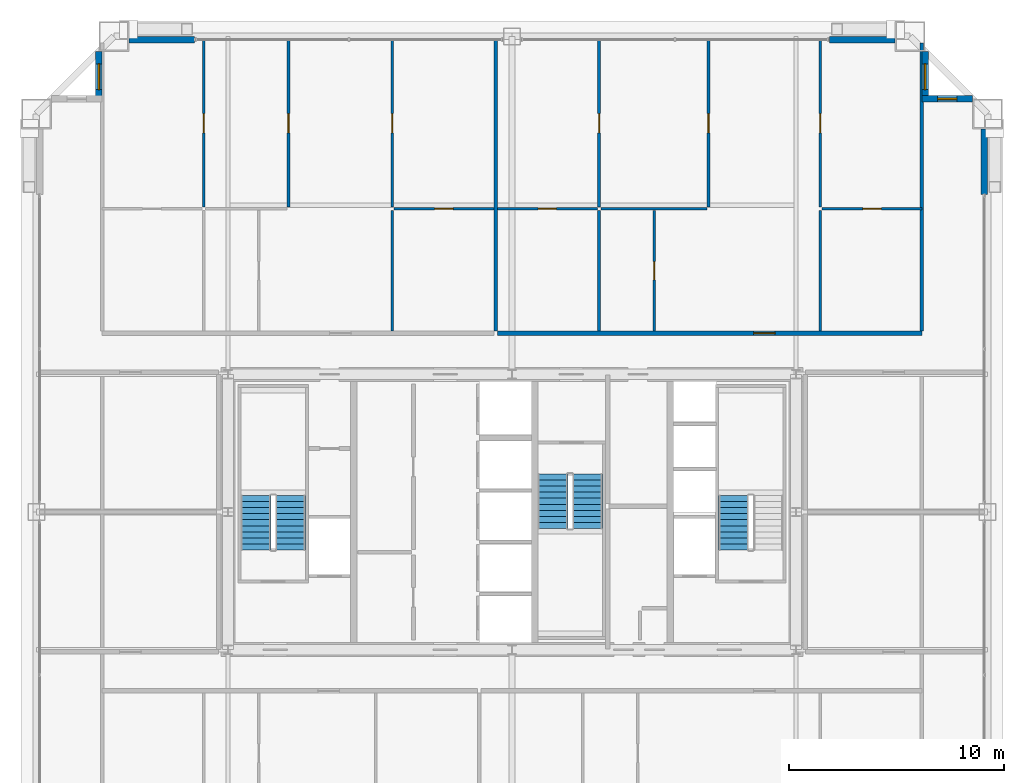
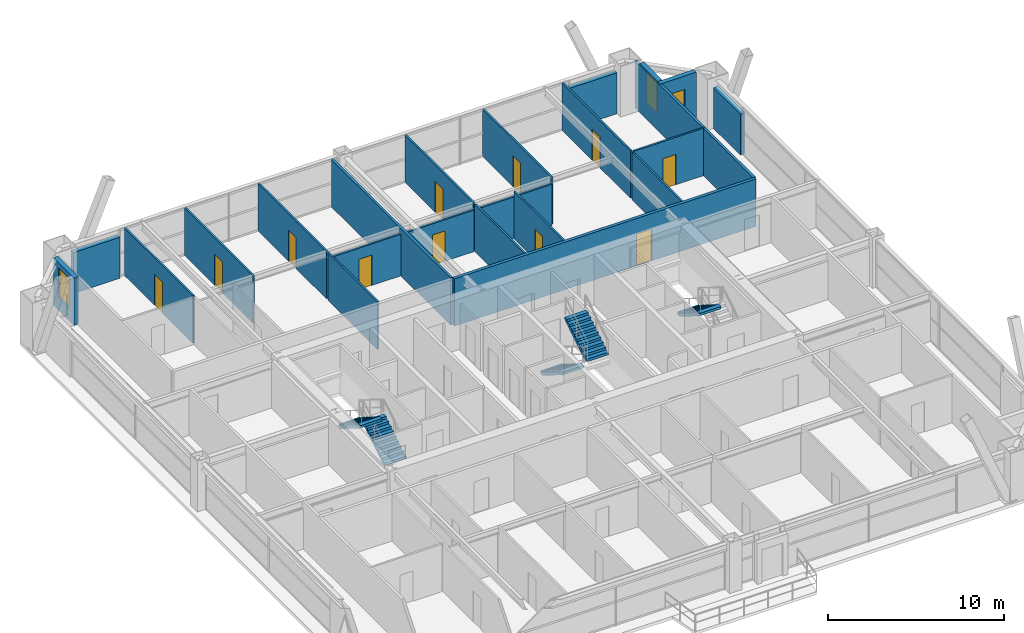
# One storey, part 43 of 45: 23 walls, 11 doors, 5 stair flights, 3 windows, 14 openings, 3 elements without a shape of their own.
"""IFC4 building model written with IfcOpenShell, lengths in metres."""

from ifc_helpers import new_model, si_unit, direction, frame, frame_2d, origin, place, context, subcontext, project, spatial, polyline, rectangle, outline, extrude, source, transform, mapped, material, layer, layer_set, type_object, element, fill, aggregate, save


model = new_model("IFC4")

# Units and contexts
model_context = context("Model", 3, precision=1e-05, world=origin(), true_north=direction((0.0, 1.0)))
body_context = subcontext(model_context, "Body", "Model", "MODEL_VIEW")
ifc_project = project(units=[si_unit("LENGTHUNIT", "METRE"), si_unit("AREAUNIT", "SQUARE_METRE"), si_unit("VOLUMEUNIT", "CUBIC_METRE"), si_unit("PLANEANGLEUNIT", "RADIAN"), si_unit("MASSUNIT", "GRAM", prefix="KILO"), si_unit("THERMODYNAMICTEMPERATUREUNIT", "KELVIN"), si_unit("POWERUNIT", "WATT")], contexts=[model_context])

# Site, building, storey
site_placement = place(None, origin())
site = spatial("IfcSite", under=ifc_project, at=site_placement, CompositionType="ELEMENT")
building_placement = place(site_placement, origin())
building = spatial("IfcBuilding", under=site, at=building_placement, Name="Yuzanri Waterfront Tower", CompositionType="ELEMENT")
storey_placement = place(building_placement, frame((0.0, 0.0, 212.5)))
storey = spatial("IfcBuildingStorey", under=building, at=storey_placement, Name="L56", CompositionType="ELEMENT", Elevation=212.5)

# Wall, opening, door
ifc_material_1 = material(Name="Moisture-Resistant Gypsum Stud Wall", Category="gypsum")
ifc_layer_1 = layer(ifc_material_1, 0.1201171875)
ifc_layer_set_1 = layer_set([ifc_layer_1], Name="Moisture-Resistant Gypsum Stud Wall")
wall_type_1 = type_object("IfcWallType", Name="Bathroom and Kitchen Wet Partition 120", PredefinedType="PARTITIONING", material=ifc_layer_set_1)
wall_1_placement = place(storey_placement, frame((31.510986328125, 39.89990234375, 0.0), z_axis=(0.0, 0.0, 1.0), x_axis=(1.0, 0.0, 0.0)))
wall_1 = element("IfcWall", 1, at=wall_1_placement, inside=storey, type_object=wall_type_1, Name="L56 Partition UW-L56-RN1-SUB-3-N", PredefinedType="PARTITIONING", context=body_context, shape_type="SweptSolid", body=[
    extrude(rectangle(XDim=4.64697265625, YDim=0.1201171875, at=frame_2d((2.323486328125, 0.0))), origin(), (0.0, 0.0, 1.0), 2.875),
])
opening_1_placement = place(wall_1_placement, frame((1.8984375, 0.0, 0.0)))
opening_1 = element("IfcOpeningElement", 2, at=opening_1_placement, cuts=wall_1, Name="Opening ID-0850", PredefinedType="OPENING", context=body_context, shape_type="SweptSolid", body=[
    extrude(rectangle(XDim=0.85009765625, YDim=2.10009765625, at=frame_2d((0.425048828125, 1.050048828125))), frame((0.0, 0.074951171875, 0.0), z_axis=(0.0, -1.0, 0.0), x_axis=(1.0, 0.0, 0.0)), (0.0, 0.0, 1.0), 0.14990234375),
])
ifc_material_2 = material(Name="Moisture-Resistant Lacquered Timber", Category="wood")
door_type_1 = type_object("IfcDoorType", Name="En-Suite Bathroom and Kitchen Swing Door 850x2100", OperationType="NOTDEFINED", PredefinedType="DOOR", material=ifc_material_2)
shared_shape_1 = source(origin(), body_context, "Body", "SweptSolid", [
    extrude(rectangle(XDim=0.85009765625, YDim=2.10009765625, at=frame_2d((0.425048828125, 1.050048828125))), frame((0.0, 0.02490234375, 0.0), z_axis=(0.0, -1.0, 0.0), x_axis=(1.0, 0.0, 0.0)), (0.0, 0.0, 1.0), 0.050048828125),
])
door_1_placement = place(opening_1_placement, origin())
door_1 = element("IfcDoor", 3, at=door_1_placement, inside=storey, type_object=door_type_1, Name="L56 Suite Interior Room Door", OperationType="SINGLE_SWING_LEFT", OverallHeight=2.10009765625, OverallWidth=0.85009765625, PredefinedType="DOOR", context=body_context, shape_type="MappedRepresentation", body=[
    mapped(shared_shape_1, transform((0.0, 0.0, 0.0), scale=1.0)),
])
fill(opening_1, door_1)

wall_2_placement = place(storey_placement, frame((22.6669921875, 39.97998046875, 0.0), z_axis=(0.0, 0.0, 1.0), x_axis=(0.0, 1.0, 0.0)))
wall_2 = element("IfcWall", 4, at=wall_2_placement, inside=storey, type_object=wall_type_1, Name="L56 Partition UW-L56-RN1-SUB-4-E", PredefinedType="PARTITIONING", context=body_context, shape_type="SweptSolid", body=[
    extrude(rectangle(XDim=7.77001953125, YDim=0.1201171875, at=frame_2d((3.885009765625, 0.0))), origin(), (0.0, 0.0, 1.0), 3.280029296875),
])
opening_2_placement = place(wall_2_placement, frame((3.43505859375, 0.0, 0.0)))
opening_2 = element("IfcOpeningElement", 5, at=opening_2_placement, cuts=wall_2, Name="Opening ID-0900", PredefinedType="OPENING", context=body_context, shape_type="SweptSolid", body=[
    extrude(rectangle(XDim=0.89990234375, YDim=2.14990234375, at=frame_2d((0.449951171875, 1.074951171875))), frame((0.0, 0.074951171875, 0.0), z_axis=(0.0, -1.0, 0.0), x_axis=(1.0, 0.0, 0.0)), (0.0, 0.0, 1.0), 0.14990234375),
])
ifc_material_3 = material(Name="Stained Walnut Veneer Timber", Category="wood")
door_type_2 = type_object("IfcDoorType", Name="Bedroom and Study Interior Swing Door 900x2150", OperationType="NOTDEFINED", PredefinedType="DOOR", material=ifc_material_3)
shared_shape_2 = source(origin(), body_context, "Body", "SweptSolid", [
    extrude(rectangle(XDim=0.89990234375, YDim=2.14990234375, at=frame_2d((0.449951171875, 1.074951171875))), frame((0.0, 0.02490234375, 0.0), z_axis=(0.0, -1.0, 0.0), x_axis=(1.0, 0.0, 0.0)), (0.0, 0.0, 1.0), 0.050048828125),
])
door_2_placement = place(opening_2_placement, origin())
door_2 = element("IfcDoor", 6, at=door_2_placement, inside=storey, type_object=door_type_2, Name="L56 Suite Interior Room Door", OperationType="SINGLE_SWING_RIGHT", OverallHeight=2.14990234375, OverallWidth=0.89990234375, PredefinedType="DOOR", context=body_context, shape_type="MappedRepresentation", body=[
    mapped(shared_shape_2, transform((0.0, 0.0, 0.0), scale=1.0)),
])
fill(opening_2, door_2)

wall_3_placement = place(storey_placement, frame((31.430908203125, 39.97998046875, 0.0), z_axis=(0.0, 0.0, 1.0), x_axis=(0.0, 1.0, 0.0)))
wall_3 = element("IfcWall", 7, at=wall_3_placement, inside=storey, type_object=wall_type_1, Name="L56 Partition UW-L56-RN1-SUB-5-W", PredefinedType="PARTITIONING", context=body_context, shape_type="SweptSolid", body=[
    extrude(rectangle(XDim=7.77001953125, YDim=0.1201171875, at=frame_2d((3.885009765625, 0.0))), origin(), (0.0, 0.0, 1.0), 3.280029296875),
])
opening_3_placement = place(wall_3_placement, frame((3.43505859375, 0.0, 0.0)))
opening_3 = element("IfcOpeningElement", 8, at=opening_3_placement, cuts=wall_3, Name="Opening ID-0900", PredefinedType="OPENING", context=body_context, shape_type="SweptSolid", body=[
    extrude(rectangle(XDim=0.89990234375, YDim=2.14990234375, at=frame_2d((0.449951171875, 1.074951171875))), frame((0.0, 0.074951171875, 0.0), z_axis=(0.0, -1.0, 0.0), x_axis=(1.0, 0.0, 0.0)), (0.0, 0.0, 1.0), 0.14990234375),
])
door_3_placement = place(opening_3_placement, origin())
door_3 = element("IfcDoor", 9, at=door_3_placement, inside=storey, type_object=door_type_2, Name="L56 Suite Interior Room Door", OperationType="SINGLE_SWING_LEFT", OverallHeight=2.14990234375, OverallWidth=0.89990234375, PredefinedType="DOOR", context=body_context, shape_type="MappedRepresentation", body=[
    mapped(shared_shape_2, transform((0.0, 0.0, 0.0), scale=1.0)),
])
fill(opening_3, door_3)

wall_4_placement = place(storey_placement, frame((26.613037109375, 39.97998046875, 0.0), z_axis=(0.0, 0.0, 1.0), x_axis=(0.0, 1.0, 0.0)))
wall_4 = element("IfcWall", 10, at=wall_4_placement, inside=storey, type_object=wall_type_1, Name="L56 Partition UW-L56-RN1-SUB-6-E", PredefinedType="PARTITIONING", context=body_context, shape_type="SweptSolid", body=[
    extrude(rectangle(XDim=7.77001953125, YDim=0.1201171875, at=frame_2d((3.885009765625, 0.0))), origin(), (0.0, 0.0, 1.0), 3.280029296875),
])
opening_4_placement = place(wall_4_placement, frame((3.43505859375, 0.0, 0.0)))
opening_4 = element("IfcOpeningElement", 11, at=opening_4_placement, cuts=wall_4, Name="Opening ID-0900", PredefinedType="OPENING", context=body_context, shape_type="SweptSolid", body=[
    extrude(rectangle(XDim=0.89990234375, YDim=2.14990234375, at=frame_2d((0.449951171875, 1.074951171875))), frame((0.0, 0.074951171875, 0.0), z_axis=(0.0, -1.0, 0.0), x_axis=(1.0, 0.0, 0.0)), (0.0, 0.0, 1.0), 0.14990234375),
])
door_4_placement = place(opening_4_placement, origin())
door_4 = element("IfcDoor", 12, at=door_4_placement, inside=storey, type_object=door_type_2, Name="L56 Suite Interior Room Door", OperationType="SINGLE_SWING_RIGHT", OverallHeight=2.14990234375, OverallWidth=0.89990234375, PredefinedType="DOOR", context=body_context, shape_type="MappedRepresentation", body=[
    mapped(shared_shape_2, transform((0.0, 0.0, 0.0), scale=1.0)),
])
fill(opening_4, door_4)

wall_5_placement = place(storey_placement, frame((36.318115234375, 39.89990234375, 0.0), z_axis=(0.0, 0.0, 1.0), x_axis=(1.0, 0.0, 0.0)))
wall_5 = element("IfcWall", 13, at=wall_5_placement, inside=storey, type_object=wall_type_1, Name="L56 Partition UW-L56-RN2-SUB-1-N", PredefinedType="PARTITIONING", context=body_context, shape_type="SweptSolid", body=[
    extrude(rectangle(XDim=4.64697265625, YDim=0.1201171875, at=frame_2d((2.323486328125, 0.0))), origin(), (0.0, 0.0, 1.0), 2.875),
])
opening_5_placement = place(wall_5_placement, frame((1.8984375, 0.0, 0.0)))
opening_5 = element("IfcOpeningElement", 14, at=opening_5_placement, cuts=wall_5, Name="Opening ID-0850", PredefinedType="OPENING", context=body_context, shape_type="SweptSolid", body=[
    extrude(rectangle(XDim=0.85009765625, YDim=2.10009765625, at=frame_2d((0.425048828125, 1.050048828125))), frame((0.0, 0.074951171875, 0.0), z_axis=(0.0, -1.0, 0.0), x_axis=(1.0, 0.0, 0.0)), (0.0, 0.0, 1.0), 0.14990234375),
])
door_5_placement = place(opening_5_placement, origin())
door_5 = element("IfcDoor", 15, at=door_5_placement, inside=storey, type_object=door_type_1, Name="L56 Suite Interior Room Door", OperationType="SINGLE_SWING_RIGHT", OverallHeight=2.10009765625, OverallWidth=0.85009765625, PredefinedType="DOOR", context=body_context, shape_type="MappedRepresentation", body=[
    mapped(shared_shape_1, transform((0.0, 0.0, 0.0), scale=1.0)),
])
fill(opening_5, door_5)

wall_6_placement = place(storey_placement, frame((43.60498046875, 34.2099609375, 0.0), z_axis=(0.0, 0.0, 1.0), x_axis=(0.0, 1.0, 0.0)))
wall_6 = element("IfcWall", 16, at=wall_6_placement, inside=storey, type_object=wall_type_1, Name="L56 Partition UW-L56-RN2-SUB-2-E", PredefinedType="PARTITIONING", context=body_context, shape_type="SweptSolid", body=[
    extrude(rectangle(XDim=5.610107421875, YDim=0.1201171875, at=frame_2d((2.80517578125, 0.0))), origin(), (0.0, 0.0, 1.0), 3.280029296875),
])
opening_6_placement = place(wall_6_placement, frame((2.3798828125, 0.0, 0.0)))
opening_6 = element("IfcOpeningElement", 17, at=opening_6_placement, cuts=wall_6, Name="Opening ID-0850", PredefinedType="OPENING", context=body_context, shape_type="SweptSolid", body=[
    extrude(rectangle(XDim=0.85009765625, YDim=2.10009765625, at=frame_2d((0.425048828125, 1.050048828125))), frame((0.0, 0.074951171875, 0.0), z_axis=(0.0, -1.0, 0.0), x_axis=(1.0, 0.0, 0.0)), (0.0, 0.0, 1.0), 0.14990234375),
])
door_6_placement = place(opening_6_placement, origin())
door_6 = element("IfcDoor", 18, at=door_6_placement, inside=storey, type_object=door_type_1, Name="L56 Suite Interior Room Door", OperationType="SINGLE_SWING_LEFT", OverallHeight=2.10009765625, OverallWidth=0.85009765625, PredefinedType="DOOR", context=body_context, shape_type="MappedRepresentation", body=[
    mapped(shared_shape_1, transform((0.0, 0.0, 0.0), scale=1.0)),
])
fill(opening_6, door_6)

wall_7_placement = place(storey_placement, frame((51.4130859375, 39.89990234375, 0.0), z_axis=(0.0, 0.0, 1.0), x_axis=(1.0, 0.0, 0.0)))
wall_7 = element("IfcWall", 19, at=wall_7_placement, inside=storey, type_object=wall_type_1, Name="L56 Partition UW-L56-RN2-SUB-3-N", PredefinedType="PARTITIONING", context=body_context, shape_type="SweptSolid", body=[
    extrude(rectangle(XDim=4.64697265625, YDim=0.1201171875, at=frame_2d((2.323486328125, 0.0))), origin(), (0.0, 0.0, 1.0), 3.280029296875),
])
opening_7_placement = place(wall_7_placement, frame((1.8984375, 0.0, 0.0)))
opening_7 = element("IfcOpeningElement", 20, at=opening_7_placement, cuts=wall_7, Name="Opening ID-0850", PredefinedType="OPENING", context=body_context, shape_type="SweptSolid", body=[
    extrude(rectangle(XDim=0.85009765625, YDim=2.10009765625, at=frame_2d((0.425048828125, 1.050048828125))), frame((0.0, 0.074951171875, 0.0), z_axis=(0.0, -1.0, 0.0), x_axis=(1.0, 0.0, 0.0)), (0.0, 0.0, 1.0), 0.14990234375),
])
door_7_placement = place(opening_7_placement, origin())
door_7 = element("IfcDoor", 21, at=door_7_placement, inside=storey, type_object=door_type_1, Name="L56 Suite Interior Room Door", OperationType="SINGLE_SWING_RIGHT", OverallHeight=2.10009765625, OverallWidth=0.85009765625, PredefinedType="DOOR", context=body_context, shape_type="MappedRepresentation", body=[
    mapped(shared_shape_1, transform((0.0, 0.0, 0.0), scale=1.0)),
])
fill(opening_7, door_7)

wall_8_placement = place(storey_placement, frame((41.044921875, 39.97998046875, 0.0), z_axis=(0.0, 0.0, 1.0), x_axis=(0.0, 1.0, 0.0)))
wall_8 = element("IfcWall", 22, at=wall_8_placement, inside=storey, type_object=wall_type_1, Name="L56 Partition UW-L56-RN2-SUB-4-E", PredefinedType="PARTITIONING", context=body_context, shape_type="SweptSolid", body=[
    extrude(rectangle(XDim=7.77001953125, YDim=0.1201171875, at=frame_2d((3.885009765625, 0.0))), origin(), (0.0, 0.0, 1.0), 3.280029296875),
])
opening_8_placement = place(wall_8_placement, frame((3.43505859375, 0.0, 0.0)))
opening_8 = element("IfcOpeningElement", 23, at=opening_8_placement, cuts=wall_8, Name="Opening ID-0900", PredefinedType="OPENING", context=body_context, shape_type="SweptSolid", body=[
    extrude(rectangle(XDim=0.89990234375, YDim=2.14990234375, at=frame_2d((0.449951171875, 1.074951171875))), frame((0.0, 0.074951171875, 0.0), z_axis=(0.0, -1.0, 0.0), x_axis=(1.0, 0.0, 0.0)), (0.0, 0.0, 1.0), 0.14990234375),
])
door_8_placement = place(opening_8_placement, origin())
door_8 = element("IfcDoor", 24, at=door_8_placement, inside=storey, type_object=door_type_2, Name="L56 Suite Interior Room Door", OperationType="SINGLE_SWING_LEFT", OverallHeight=2.14990234375, OverallWidth=0.89990234375, PredefinedType="DOOR", context=body_context, shape_type="MappedRepresentation", body=[
    mapped(shared_shape_2, transform((0.0, 0.0, 0.0), scale=1.0)),
])
fill(opening_8, door_8)

wall_9_placement = place(storey_placement, frame((51.3330078125, 39.97998046875, 0.0), z_axis=(0.0, 0.0, 1.0), x_axis=(0.0, 1.0, 0.0)))
wall_9 = element("IfcWall", 25, at=wall_9_placement, inside=storey, type_object=wall_type_1, Name="L56 Partition UW-L56-RN2-SUB-5-W", PredefinedType="PARTITIONING", context=body_context, shape_type="SweptSolid", body=[
    extrude(rectangle(XDim=7.77001953125, YDim=0.1201171875, at=frame_2d((3.885009765625, 0.0))), origin(), (0.0, 0.0, 1.0), 3.280029296875),
])
opening_9_placement = place(wall_9_placement, frame((3.43505859375, 0.0, 0.0)))
opening_9 = element("IfcOpeningElement", 26, at=opening_9_placement, cuts=wall_9, Name="Opening ID-0900", PredefinedType="OPENING", context=body_context, shape_type="SweptSolid", body=[
    extrude(rectangle(XDim=0.89990234375, YDim=2.14990234375, at=frame_2d((0.449951171875, 1.074951171875))), frame((0.0, 0.074951171875, 0.0), z_axis=(0.0, -1.0, 0.0), x_axis=(1.0, 0.0, 0.0)), (0.0, 0.0, 1.0), 0.14990234375),
])
door_9_placement = place(opening_9_placement, origin())
door_9 = element("IfcDoor", 27, at=door_9_placement, inside=storey, type_object=door_type_2, Name="L56 Suite Interior Room Door", OperationType="SINGLE_SWING_RIGHT", OverallHeight=2.14990234375, OverallWidth=0.89990234375, PredefinedType="DOOR", context=body_context, shape_type="MappedRepresentation", body=[
    mapped(shared_shape_2, transform((0.0, 0.0, 0.0), scale=1.0)),
])
fill(opening_9, door_9)

wall_10_placement = place(storey_placement, frame((46.133056640625, 39.97998046875, 0.0), z_axis=(0.0, 0.0, 1.0), x_axis=(0.0, 1.0, 0.0)))
wall_10 = element("IfcWall", 28, at=wall_10_placement, inside=storey, type_object=wall_type_1, Name="L56 Partition UW-L56-RN2-SUB-6-E", PredefinedType="PARTITIONING", context=body_context, shape_type="SweptSolid", body=[
    extrude(rectangle(XDim=7.77001953125, YDim=0.1201171875, at=frame_2d((3.885009765625, 0.0))), origin(), (0.0, 0.0, 1.0), 3.280029296875),
])
opening_10_placement = place(wall_10_placement, frame((3.43505859375, 0.0, 0.0)))
opening_10 = element("IfcOpeningElement", 29, at=opening_10_placement, cuts=wall_10, Name="Opening ID-0900", PredefinedType="OPENING", context=body_context, shape_type="SweptSolid", body=[
    extrude(rectangle(XDim=0.89990234375, YDim=2.14990234375, at=frame_2d((0.449951171875, 1.074951171875))), frame((0.0, 0.074951171875, 0.0), z_axis=(0.0, -1.0, 0.0), x_axis=(1.0, 0.0, 0.0)), (0.0, 0.0, 1.0), 0.14990234375),
])
door_10_placement = place(opening_10_placement, origin())
door_10 = element("IfcDoor", 30, at=door_10_placement, inside=storey, type_object=door_type_2, Name="L56 Suite Interior Room Door", OperationType="SINGLE_SWING_LEFT", OverallHeight=2.14990234375, OverallWidth=0.89990234375, PredefinedType="DOOR", context=body_context, shape_type="MappedRepresentation", body=[
    mapped(shared_shape_2, transform((0.0, 0.0, 0.0), scale=1.0)),
])
fill(opening_10, door_10)

# Wall, opening, window
ifc_material_4 = material(Name="Honed Chongqing Dark Basalt Stone", Category="masonry")
ifc_layer_2 = layer(ifc_material_4, 0.300048828125)
ifc_layer_set_2 = layer_set([ifc_layer_2], Name="Honed Chongqing Dark Basalt Stone")
wall_type_2 = type_object("IfcWallType", Name="Bronze Rainscreen Insulated Spandrel Portal Wall 300", PredefinedType="SOLIDWALL", material=ifc_layer_set_2)
wall_11_placement = place(storey_placement, frame((17.800048828125, 47.199951171875, 0.0), z_axis=(0.0, 0.0, 1.0), x_axis=(0.0, -1.0, 0.0)))
wall_11 = element("IfcWall", 31, at=wall_11_placement, inside=storey, type_object=wall_type_2, Name="L56 Notched Corner Masonry Wall NW-Y", PredefinedType="SOLIDWALL", context=body_context, shape_type="SweptSolid", body=[
    extrude(rectangle(XDim=2.349853515625, YDim=0.300048828125, at=frame_2d((1.1748046875, 0.0))), origin(), (0.0, 0.0, 1.0), 3.280029296875),
])
opening_11_placement = place(wall_11_placement, frame((0.574951171875, 0.0, 0.85009765625)))
opening_11 = element("IfcOpeningElement", 32, at=opening_11_placement, cuts=wall_11, Name="Opening WN-02", PredefinedType="OPENING", context=body_context, shape_type="SweptSolid", body=[
    extrude(rectangle(XDim=1.199951171875, YDim=2.10009765625, at=frame_2d((0.60009765625, 1.050048828125))), frame((0.0, 0.1650390625, 0.0), z_axis=(0.0, -1.0, 0.0), x_axis=(1.0, 0.0, 0.0)), (0.0, 0.0, 1.0), 0.329833984375),
])
ifc_material_5 = material(Name="Double-Silver Low-E Insulated Glass", Category="glass")
window_type_1 = type_object("IfcWindowType", Name="Anodized Bronze Notched Corner Deep-Set Slot Window 1200x2100", PartitioningType="SINGLE_PANEL", PredefinedType="WINDOW", material=ifc_material_5)
shared_shape_3 = source(origin(), body_context, "Body", "SweptSolid", [
    extrude(rectangle(XDim=1.199951171875, YDim=2.10009765625, at=frame_2d((0.60009765625, 1.050048828125))), frame((0.0, 0.030029296875, 0.0), z_axis=(0.0, -1.0, 0.0), x_axis=(1.0, 0.0, 0.0)), (0.0, 0.0, 1.0), 0.06005859375),
])
window_1_placement = place(opening_11_placement, origin())
window_1 = element("IfcWindow", 33, at=window_1_placement, inside=storey, type_object=window_type_1, Name="L56 Notched Corner Window NW-Y", OverallHeight=2.10009765625, OverallWidth=1.199951171875, PartitioningType="SINGLE_PANEL", PredefinedType="WINDOW", context=body_context, shape_type="MappedRepresentation", body=[
    mapped(shared_shape_3, transform((0.0, 0.0, 0.0), scale=1.0)),
])
fill(opening_11, window_1)

wall_12_placement = place(storey_placement, frame((58.39990234375, 45.0, 0.0), z_axis=(0.0, 0.0, 1.0), x_axis=(-1.0, 0.0, 0.0)))
wall_12 = element("IfcWall", 34, at=wall_12_placement, inside=storey, type_object=wall_type_2, Name="L56 Notched Corner Masonry Wall NE-X", PredefinedType="SOLIDWALL", context=body_context, shape_type="SweptSolid", body=[
    extrude(rectangle(XDim=2.349853515625, YDim=0.300048828125, at=frame_2d((1.1748046875, 0.0))), origin(), (0.0, 0.0, 1.0), 3.280029296875),
])
opening_12_placement = place(wall_12_placement, frame((0.72509765625, 0.0, 0.85009765625)))
opening_12 = element("IfcOpeningElement", 35, at=opening_12_placement, cuts=wall_12, Name="Opening WN-05", PredefinedType="OPENING", context=body_context, shape_type="SweptSolid", body=[
    extrude(rectangle(XDim=0.89990234375, YDim=1.5, at=frame_2d((0.449951171875, 0.75))), frame((0.0, 0.1650390625, 0.0), z_axis=(0.0, -1.0, 0.0), x_axis=(1.0, 0.0, 0.0)), (0.0, 0.0, 1.0), 0.329833984375),
])
ifc_material_6 = material(Name="Double-Silver Low-E Insulated Glass", Category="glass")
window_type_2 = type_object("IfcWindowType", Name="Anodized Bronze Service and Stairwell Smoke-Vent Window 900x1500", PartitioningType="SINGLE_PANEL", PredefinedType="WINDOW", material=ifc_material_6)
shared_shape_4 = source(origin(), body_context, "Body", "SweptSolid", [
    extrude(rectangle(XDim=0.89990234375, YDim=1.5, at=frame_2d((0.449951171875, 0.75))), frame((0.0, 0.030029296875, 0.0), z_axis=(0.0, -1.0, 0.0), x_axis=(1.0, 0.0, 0.0)), (0.0, 0.0, 1.0), 0.06005859375),
])
window_2_placement = place(opening_12_placement, origin())
window_2 = element("IfcWindow", 36, at=window_2_placement, inside=storey, type_object=window_type_2, Name="L56 Notched Corner Window NE-X", OverallHeight=1.5, OverallWidth=0.89990234375, PartitioningType="SINGLE_PANEL", PredefinedType="WINDOW", context=body_context, shape_type="MappedRepresentation", body=[
    mapped(shared_shape_4, transform((0.0, 0.0, 0.0), scale=1.0)),
])
fill(opening_12, window_2)

wall_13_placement = place(storey_placement, frame((56.199951171875, 44.85009765625, 0.0), z_axis=(0.0, 0.0, 1.0), x_axis=(0.0, 1.0, 0.0)))
wall_13 = element("IfcWall", 37, at=wall_13_placement, inside=storey, type_object=wall_type_2, Name="L56 Notched Corner Masonry Wall NE-Y", PredefinedType="SOLIDWALL", context=body_context, shape_type="SweptSolid", body=[
    extrude(rectangle(XDim=2.349853515625, YDim=0.300048828125, at=frame_2d((1.1748046875, 0.0))), origin(), (0.0, 0.0, 1.0), 3.280029296875),
])
opening_13_placement = place(wall_13_placement, frame((0.574951171875, 0.0, 0.85009765625)))
opening_13 = element("IfcOpeningElement", 38, at=opening_13_placement, cuts=wall_13, Name="Opening WN-02", PredefinedType="OPENING", context=body_context, shape_type="SweptSolid", body=[
    extrude(rectangle(XDim=1.199951171875, YDim=2.10009765625, at=frame_2d((0.60009765625, 1.050048828125))), frame((0.0, 0.1650390625, 0.0), z_axis=(0.0, -1.0, 0.0), x_axis=(1.0, 0.0, 0.0)), (0.0, 0.0, 1.0), 0.329833984375),
])
window_3_placement = place(opening_13_placement, origin())
window_3 = element("IfcWindow", 39, at=window_3_placement, inside=storey, type_object=window_type_1, Name="L56 Notched Corner Window NE-Y", OverallHeight=2.10009765625, OverallWidth=1.199951171875, PartitioningType="SINGLE_PANEL", PredefinedType="WINDOW", context=body_context, shape_type="MappedRepresentation", body=[
    mapped(shared_shape_3, transform((0.0, 0.0, 0.0), scale=1.0)),
])
fill(opening_13, window_3)

# Wall, opening, door
ifc_material_7 = material(Name="Autoclaved Aerated Concrete Blockwork", Category="masonry")
ifc_layer_3 = layer(ifc_material_7, 0.199951171875)
ifc_layer_set_3 = layer_set([ifc_layer_3], Name="Autoclaved Aerated Concrete Blockwork")
wall_type_3 = type_object("IfcWallType", Name="Corridor and Unit Party Fire Wall 200", PredefinedType="PARTITIONING", material=ifc_layer_set_3)
wall_14_placement = place(storey_placement, frame((36.318115234375, 34.110107421875, 0.0), z_axis=(0.0, 0.0, 1.0), x_axis=(1.0, 0.0, 0.0)))
wall_14 = element("IfcWall", 40, at=wall_14_placement, inside=storey, type_object=wall_type_3, Name="L56 Partition UW-L56-RN2-CS", PredefinedType="PARTITIONING", context=body_context, shape_type="SweptSolid", body=[
    extrude(rectangle(XDim=19.741943359375, YDim=0.199951171875, at=frame_2d((9.87109375, 0.0))), origin(), (0.0, 0.0, 1.0), 3.280029296875),
])
opening_14_placement = place(wall_14_placement, frame((11.9150390625, 0.0, 0.0)))
opening_14 = element("IfcOpeningElement", 41, at=opening_14_placement, cuts=wall_14, Name="Opening FD-1000", PredefinedType="OPENING", context=body_context, shape_type="SweptSolid", body=[
    extrude(rectangle(XDim=1.0, YDim=2.199951171875, at=frame_2d((0.5, 1.10009765625))), frame((0.0, 0.11474609375, 0.0), z_axis=(0.0, -1.0, 0.0), x_axis=(1.0, 0.0, 0.0)), (0.0, 0.0, 1.0), 0.229736328125),
])
ifc_material_8 = material(Name="Engineered Oak Fire-Rated Timber", Category="wood")
door_type_3 = type_object("IfcDoorType", Name="Guestroom and Apartment Entrance Fire Door 1000x2200", OperationType="NOTDEFINED", PredefinedType="DOOR", material=ifc_material_8)
shared_shape_5 = source(origin(), body_context, "Body", "SweptSolid", [
    extrude(rectangle(XDim=1.0, YDim=2.199951171875, at=frame_2d((0.5, 1.10009765625))), frame((0.0, 0.02490234375, 0.0), z_axis=(0.0, -1.0, 0.0), x_axis=(1.0, 0.0, 0.0)), (0.0, 0.0, 1.0), 0.050048828125),
])
door_11_placement = place(opening_14_placement, origin())
door_11 = element("IfcDoor", 42, at=door_11_placement, inside=storey, type_object=door_type_3, Name="L56 Apartment Living and Dining Salon Entrance Door", OperationType="SINGLE_SWING_LEFT", OverallHeight=2.199951171875, OverallWidth=1.0, PredefinedType="DOOR", context=body_context, shape_type="MappedRepresentation", body=[
    mapped(shared_shape_5, transform((0.0, 0.0, 0.0), scale=1.0)),
])
fill(opening_14, door_11)

# Walls
shared_shape_6 = source(origin(), body_context, "Body", "SweptSolid", [
    extrude(rectangle(XDim=3.050048828125, YDim=0.300048828125, at=frame_2d((1.52490234375, 0.0))), origin(), (0.0, 0.0, 1.0), 2.8349609375),
])
for number, where, z_axis, x_axis, name in (
    (43, (19.199951171875, 47.75, 0.0), (0.0, 0.0, 1.0), (1.0, 0.0, 0.0), "L56 N Left Braced Masonry Shoulder"),
    (44, (51.75, 47.75, 0.0), (0.0, 0.0, 1.0), (1.0, 0.0, 0.0), "L56 N Right Braced Masonry Shoulder"),
    (45, (58.949951171875, 40.550048828125, 0.0), (0.0, 0.0, 1.0), (0.0, 1.0, 0.0), "L56 E Right Braced Masonry Shoulder"),
):
    element("IfcWall", number, at=place(storey_placement, frame(where, z_axis=z_axis, x_axis=x_axis)), inside=storey, type_object=wall_type_2, Name=name, PredefinedType="SOLIDWALL", context=body_context, shape_type="MappedRepresentation", body=[
        mapped(shared_shape_6, transform((0.0, 0.0, 0.0), scale=1.0)),
    ])
ifc_material_9 = material(Name="Gypsum Fireboard Acoustic Stud Wall", Category="gypsum")
ifc_layer_4 = layer(ifc_material_9, 0.159912109375)
ifc_layer_set_4 = layer_set([ifc_layer_4], Name="Gypsum Fireboard Acoustic Stud Wall")
wall_type_4 = type_object("IfcWallType", Name="Acoustic Suite Demising Partition 160", PredefinedType="PARTITIONING", material=ifc_layer_set_4)
shared_shape_7 = source(origin(), body_context, "Body", "SweptSolid", [
    extrude(rectangle(XDim=13.5400390625, YDim=0.159912109375, at=frame_2d((6.77001953125, 0.0))), origin(), (0.0, 0.0, 1.0), 3.280029296875),
])
wall_15_placement = place(storey_placement, frame((36.238037109375, 34.2099609375, 0.0), z_axis=(0.0, 0.0, 1.0), x_axis=(0.0, 1.0, 0.0)))
element("IfcWall", 46, at=wall_15_placement, inside=storey, type_object=wall_type_4, Name="L56-RN1 Party Wall", PredefinedType="PARTITIONING", context=body_context, shape_type="MappedRepresentation", body=[
    mapped(shared_shape_7, transform((0.0, 0.0, 0.0), scale=1.0)),
])
shared_shape_8 = source(origin(), body_context, "Body", "SweptSolid", [
    extrude(rectangle(XDim=13.39013671875, YDim=0.159912109375, at=frame_2d((6.695068359375, 0.0))), origin(), (0.0, 0.0, 1.0), 3.280029296875),
])
wall_16_placement = place(storey_placement, frame((56.050048828125, 34.2099609375, 0.0), z_axis=(0.0, 0.0, 1.0), x_axis=(0.0, 1.0, 0.0)))
element("IfcWall", 47, at=wall_16_placement, inside=storey, type_object=wall_type_4, Name="L56 North Band East End Wall", PredefinedType="PARTITIONING", context=body_context, shape_type="MappedRepresentation", body=[
    mapped(shared_shape_8, transform((0.0, 0.0, 0.0), scale=1.0)),
])
shared_shape_9 = source(origin(), body_context, "Body", "SweptSolid", [
    extrude(rectangle(XDim=4.927978515625, YDim=0.1201171875, at=frame_2d((2.4638671875, 0.0))), origin(), (0.0, 0.0, 1.0), 2.875),
])
wall_17_placement = place(storey_placement, frame((41.125, 39.89990234375, 0.0), z_axis=(0.0, 0.0, 1.0), x_axis=(1.0, 0.0, 0.0)))
element("IfcWall", 48, at=wall_17_placement, inside=storey, type_object=wall_type_1, Name="L56 Partition UW-L56-RN2-SUB-6-S", PredefinedType="PARTITIONING", context=body_context, shape_type="MappedRepresentation", body=[
    mapped(shared_shape_9, transform((0.0, 0.0, 0.0), scale=1.0)),
])
shared_shape_10 = source(origin(), body_context, "Body", "SweptSolid", [
    extrude(rectangle(XDim=5.610107421875, YDim=0.1201171875, at=frame_2d((2.80517578125, 0.0))), origin(), (0.0, 0.0, 1.0), 3.280029296875),
])
for number, where, z_axis, x_axis, name in (
    (49, (31.430908203125, 34.2099609375, 0.0), (0.0, 0.0, 1.0), (0.0, 1.0, 0.0), "L56 Partition UW-L56-RN1-SUB-3-W"),
    (50, (41.044921875, 34.2099609375, 0.0), (0.0, 0.0, 1.0), (0.0, 1.0, 0.0), "L56 Partition UW-L56-RN2-SUB-1-E"),
    (51, (51.3330078125, 34.2099609375, 0.0), (0.0, 0.0, 1.0), (0.0, 1.0, 0.0), "L56 Partition UW-L56-RN2-SUB-3-W"),
):
    element("IfcWall", number, at=place(storey_placement, frame(where, z_axis=z_axis, x_axis=x_axis)), inside=storey, type_object=wall_type_1, Name=name, PredefinedType="PARTITIONING", context=body_context, shape_type="MappedRepresentation", body=[
        mapped(shared_shape_10, transform((0.0, 0.0, 0.0), scale=1.0)),
    ])

# Stair, stair flights
ifc_material_10 = material(Name="Concrete C40", Category="concrete")
stair_type = type_object("IfcStairType", Name="Concrete C40 Core Dogleg Exit Stair", PredefinedType="HALF_TURN_STAIR", material=ifc_material_10)
stair_1_placement = place(storey_placement, origin())
stair_1 = element("IfcStair", 52, at=stair_1_placement, inside=storey, type_object=stair_type, Name="L56 Smoke-Proof Core Stair ST-01", PredefinedType="HALF_TURN_STAIR")
ifc_material_11 = material(Name="Concrete C40", Category="concrete")
stair_flight_type = type_object("IfcStairFlightType", Name="Concrete C40 Precast Stair Flight 1380", PredefinedType="STRAIGHT", material=ifc_material_11)
shared_shape_11 = source(origin(), body_context, "Body", "SweptSolid", [
    extrude(outline(polyline([(0.0, 0.0), (0.0, 0.175048828125), (0.280029296875, 0.175048828125), (0.280029296875, 0.35009765625), (0.56005859375, 0.35009765625), (0.56005859375, 0.52490234375), (0.840087890625, 0.52490234375), (0.840087890625, 0.699951171875), (1.1201171875, 0.699951171875), (1.1201171875, 0.875), (1.39990234375, 0.875), (1.39990234375, 1.050048828125), (1.679931640625, 1.050048828125), (1.679931640625, 1.22509765625), (1.9599609375, 1.22509765625), (1.9599609375, 1.39990234375), (2.239990234375, 1.39990234375), (2.239990234375, 1.574951171875), (2.52001953125, 1.574951171875), (2.52001953125, 1.75), (2.52001953125, 1.398193359375), (0.28271484375, 0.0), (0.0, 0.0)])), frame((0.0, 0.699951171875, 0.0), z_axis=(0.0, -1.0, 0.0), x_axis=(1.0, 0.0, 0.0)), (0.0, 0.0, 1.0), 1.39990234375),
])
stair_flight_1_placement = place(storey_placement, frame((26.699951171875, 24.0400390625, 0.0), z_axis=(0.0, 0.0, 1.0), x_axis=(0.0, 1.0, 0.0)))
stair_flight_1 = element("IfcStairFlight", 53, at=stair_flight_1_placement, type_object=stair_flight_type, Name="ST-01 flight 1", NumberOfRisers=10, NumberOfTreads=9, PredefinedType="STRAIGHT", RiserHeight=0.175, TreadLength=0.28, context=body_context, shape_type="MappedRepresentation", body=[
    mapped(shared_shape_11, transform((0.0, 0.0, 0.0), scale=1.0)),
])
stair_flight_2_placement = place(storey_placement, frame((25.10009765625, 26.56005859375, 1.75), z_axis=(0.0, 0.0, 1.0), x_axis=(0.0, -1.0, 0.0)))
stair_flight_2 = element("IfcStairFlight", 54, at=stair_flight_2_placement, type_object=stair_flight_type, Name="ST-01 flight 2", NumberOfRisers=10, NumberOfTreads=9, PredefinedType="STRAIGHT", RiserHeight=0.175, TreadLength=0.28, context=body_context, shape_type="MappedRepresentation", body=[
    mapped(shared_shape_11, transform((0.0, 0.0, 0.0), scale=1.0)),
])
aggregate(stair_1, [stair_flight_1, stair_flight_2])

# Stair, stair flight
stair_2_placement = place(storey_placement, origin())
stair_2 = element("IfcStair", 55, at=stair_2_placement, inside=storey, type_object=stair_type, Name="L56 Smoke-Proof Core Stair ST-02", PredefinedType="HALF_TURN_STAIR")
stair_flight_3_placement = place(storey_placement, frame((47.300048828125, 26.56005859375, 1.75), z_axis=(0.0, 0.0, 1.0), x_axis=(0.0, -1.0, 0.0)))
stair_flight_3 = element("IfcStairFlight", 56, at=stair_flight_3_placement, type_object=stair_flight_type, Name="ST-02 flight 2", NumberOfRisers=10, NumberOfTreads=9, PredefinedType="STRAIGHT", RiserHeight=0.175, TreadLength=0.28, context=body_context, shape_type="MappedRepresentation", body=[
    mapped(shared_shape_11, transform((0.0, 0.0, 0.0), scale=1.0)),
])
aggregate(stair_2, [stair_flight_3])

# Stair, stair flights
stair_3_placement = place(storey_placement, origin())
stair_3 = element("IfcStair", 57, at=stair_3_placement, inside=storey, type_object=stair_type, Name="L56 Smoke-Proof Core Stair ST-03", PredefinedType="HALF_TURN_STAIR")
stair_flight_4_placement = place(storey_placement, frame((38.89990234375, 27.56005859375, 0.0), z_axis=(0.0, 0.0, 1.0), x_axis=(0.0, -1.0, 0.0)))
stair_flight_4 = element("IfcStairFlight", 58, at=stair_flight_4_placement, type_object=stair_flight_type, Name="ST-03 flight 1", NumberOfRisers=10, NumberOfTreads=9, PredefinedType="STRAIGHT", RiserHeight=0.175, TreadLength=0.28, context=body_context, shape_type="MappedRepresentation", body=[
    mapped(shared_shape_11, transform((0.0, 0.0, 0.0), scale=1.0)),
])
stair_flight_5_placement = place(storey_placement, frame((40.5, 25.0400390625, 1.75), z_axis=(0.0, 0.0, 1.0), x_axis=(0.0, 1.0, 0.0)))
stair_flight_5 = element("IfcStairFlight", 59, at=stair_flight_5_placement, type_object=stair_flight_type, Name="ST-03 flight 2", NumberOfRisers=10, NumberOfTreads=9, PredefinedType="STRAIGHT", RiserHeight=0.175, TreadLength=0.28, context=body_context, shape_type="MappedRepresentation", body=[
    mapped(shared_shape_11, transform((0.0, 0.0, 0.0), scale=1.0)),
])
aggregate(stair_3, [stair_flight_4, stair_flight_5])

save(model, "model.ifc")
